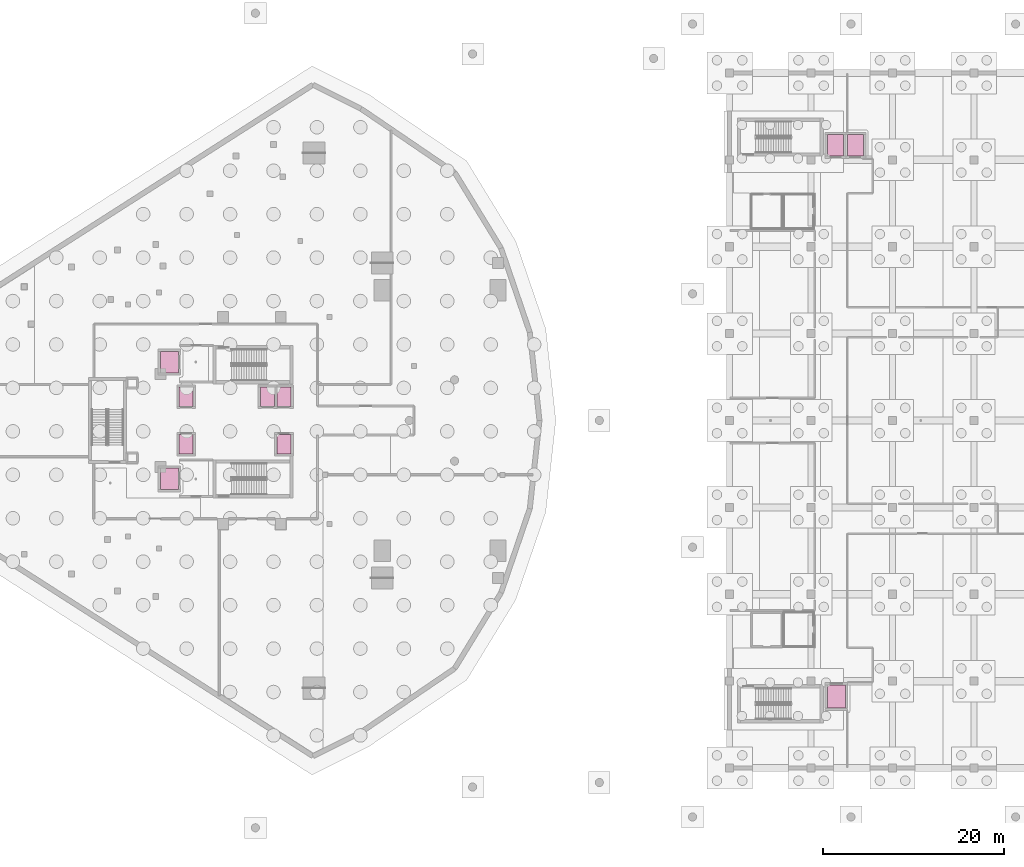
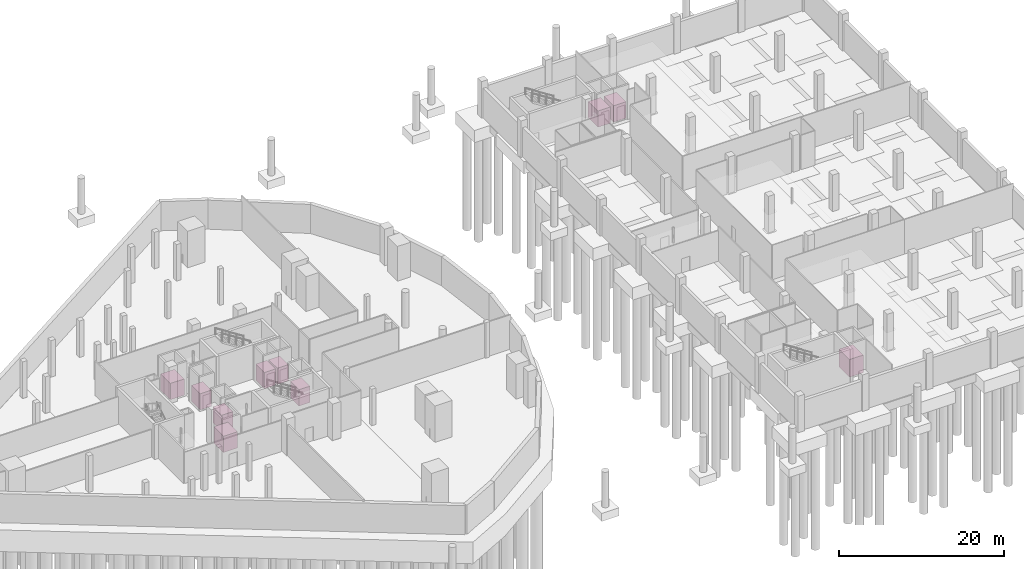
# One storey, part 22 of 22: 10 transport elements.
"""IFC4 building model written with IfcOpenShell, lengths in metres."""

import ifcopenshell
import ifcopenshell.guid

model = None  # the IFC model being written
_history = None  # IfcOwnerHistory: only IFC2X3 demands one
_inside = {}  # id of a spatial element -> (the spatial element, [elements in it])
_under = {}  # id of a project, library or spatial element -> (it, [spatial elements below it])
_declared = {}  # id of a project -> (the project, [libraries it declares])
_typed = {}  # id of a type object -> (the type object, [elements of that type])
_made_of = {}  # id of a material, layer set ... -> (it, [elements and type objects made of it])


def new_model(schema):
    """Start an empty IFC model of exactly this schema.

    Asked for "IFC4X3", IfcOpenShell would pick the latest addendum, in which some entities
    have other attributes; the version numbers below select the first issue.
    IFC2X3 requires an IfcOwnerHistory on every rooted entity: one is made here for all.
    """
    global model, _history
    if schema == "IFC4X3":
        model = ifcopenshell.file(schema_version=(4, 3, 0, 0))
    else:
        model = ifcopenshell.file(schema=schema)
    _inside.clear()
    _under.clear()
    _declared.clear()
    _typed.clear()
    _made_of.clear()
    _history = None
    if model.schema == "IFC2X3":
        org = make("IfcOrganization", Name="unknown")
        user = make(
            "IfcPersonAndOrganization",
            ThePerson=make("IfcPerson", FamilyName="unknown"),
            TheOrganization=org,
        )
        app = make(
            "IfcApplication",
            ApplicationDeveloper=org,
            Version="unknown",
            ApplicationFullName="unknown",
            ApplicationIdentifier="unknown",
        )
        _history = make(
            "IfcOwnerHistory",
            OwningUser=user,
            OwningApplication=app,
            ChangeAction="ADDED",
            CreationDate=0,
        )
    return model


def make(cls, **values):
    """One entity of the class cls with the attributes given. An attribute that is None is left unset."""
    return model.create_entity(
        cls, **{name: value for name, value in values.items() if value is not None}
    )


def rooted(cls, **values):
    """An entity with a GlobalId (a new one), such as an element, a storey or a relation."""
    return make(cls, GlobalId=ifcopenshell.guid.new(), OwnerHistory=_history, **values)


def si_unit(unit_type, name, prefix=None):
    """IfcSIUnit, for example si_unit("LENGTHUNIT", "METRE", prefix="MILLI")."""
    return make("IfcSIUnit", UnitType=unit_type, Prefix=prefix, Name=name)


def assignment(units):
    """IfcUnitAssignment: the units of a project."""
    return None if units is None else make("IfcUnitAssignment", Units=units)


def point(xyz):
    """IfcCartesianPoint."""
    return None if xyz is None else make("IfcCartesianPoint", Coordinates=xyz)


def direction(xyz):
    """IfcDirection."""
    return None if xyz is None else make("IfcDirection", DirectionRatios=xyz)


def frame(location, z_axis=None, x_axis=None):
    """IfcAxis2Placement3D, a coordinate frame: its origin and axes. An axis left out is left unset."""
    return make(
        "IfcAxis2Placement3D",
        Location=point(location),
        Axis=direction(z_axis),
        RefDirection=direction(x_axis),
    )


def frame_2d(location, x_axis=None):
    """IfcAxis2Placement2D, a coordinate frame in the plane: its origin and x axis."""
    return make(
        "IfcAxis2Placement2D", Location=point(location), RefDirection=direction(x_axis)
    )


def origin():
    """The frame at (0, 0, 0) with its axes left unset."""
    return frame((0.0, 0.0, 0.0))


def origin_2d():
    """The frame at (0, 0) in the plane with its x axis left unset."""
    return frame_2d((0.0, 0.0))


def place(relative_to, where):
    """IfcLocalPlacement: puts the frame where relative to a parent placement (None: the world)."""
    return make(
        "IfcLocalPlacement", PlacementRelTo=relative_to, RelativePlacement=where
    )


def context(
    kind, dimensions, precision=None, world=None, true_north=None, identifier=None
):
    """IfcGeometricRepresentationContext, for example the 3D "Model" context."""
    return make(
        "IfcGeometricRepresentationContext",
        ContextIdentifier=identifier,
        ContextType=kind,
        CoordinateSpaceDimension=dimensions,
        Precision=precision,
        WorldCoordinateSystem=world,
        TrueNorth=true_north,
    )


def subcontext(parent, identifier, kind, view, scale=None):
    """IfcGeometricRepresentationSubContext, for example "Body" below "Model"."""
    return make(
        "IfcGeometricRepresentationSubContext",
        ContextIdentifier=identifier,
        ContextType=kind,
        ParentContext=parent,
        TargetScale=scale,
        TargetView=view,
    )


def project(units=None, contexts=None):
    """IfcProject with its units and contexts."""
    return rooted(
        "IfcProject",
        Name="project",
        RepresentationContexts=contexts,
        UnitsInContext=assignment(units),
    )


def spatial(cls, under=None, at=None, **own):
    """A site, building, storey or space (cls), placed at a placement, below another one or the project."""
    s = rooted(cls, ObjectPlacement=at, **own)
    if under is not None:
        _under.setdefault(under.id(), (under, []))[1].append(s)
    return s


def profile(cls, at=None, kind="AREA", **sizes):
    """A parametric profile (cls). Its sizes go by their IFC names, for example OverallWidth=200.0."""
    return make(cls, ProfileType=kind, Position=at, **sizes)


def rectangle(**sizes):
    """IfcRectangleProfileDef."""
    return profile("IfcRectangleProfileDef", **sizes)


def extrude(swept, where, along, depth):
    """IfcExtrudedAreaSolid: the profile swept, set in the frame where, extruded along a direction by depth."""
    return make(
        "IfcExtrudedAreaSolid",
        SweptArea=swept,
        Position=where,
        ExtrudedDirection=direction(along),
        Depth=depth,
    )


def shape(context_of_items, identifier, shape_type, items):
    """IfcShapeRepresentation: the items that make up one representation, for example the "Body"."""
    return make(
        "IfcShapeRepresentation",
        ContextOfItems=context_of_items,
        RepresentationIdentifier=identifier,
        RepresentationType=shape_type,
        Items=items,
    )


def material(Name=None, Category=None):
    """IfcMaterial."""
    return make("IfcMaterial", Name=Name, Category=Category)


def made_of(thing, what):
    """Note that an element or type object is made of a material, layer set ...; save() writes the relation."""
    if what is not None:
        _made_of.setdefault(what.id(), (what, []))[1].append(thing)
    return thing


def type_object(cls, material=None, **own):
    """A type object (cls), such as IfcWallType, which elements share."""
    return made_of(rooted(cls, **own), material)


def element(
    cls,
    number,
    at=None,
    inside=None,
    cuts=None,
    type_object=None,
    material=None,
    context=None,
    identifier="Body",
    shape_type=None,
    held_by="IfcProductDefinitionShape",
    body=None,
    shapes=None,
    **own,
):
    """One element of the class cls, such as IfcWall. Its Tag is "e" and its number.

    at: its placement. inside: the storey or other place that contains it. cuts: it is an
    opening in that element (IfcRelVoidsElement). A single representation is given by context,
    identifier, shape_type and body (its items); several are given by shapes. held_by: the class
    of the entity that holds the representations. save() writes the other relations.
    """
    e = rooted(cls, Tag="e%d" % number, ObjectPlacement=at, **own)
    if body is not None:
        shapes = [shape(context, identifier, shape_type, body)]
    if shapes is not None:
        e.Representation = make(held_by, Representations=shapes)
    if inside is not None:
        _inside.setdefault(inside.id(), (inside, []))[1].append(e)
    if cuts is not None:
        rooted(
            "IfcRelVoidsElement", RelatingBuildingElement=cuts, RelatedOpeningElement=e
        )
    if type_object is not None:
        _typed.setdefault(type_object.id(), (type_object, []))[1].append(e)
    return made_of(e, material)


def aggregate(whole, parts):
    """IfcRelAggregates: a whole, such as a stair, and the parts it consists of."""
    return rooted("IfcRelAggregates", RelatingObject=whole, RelatedObjects=parts)


def save(model, path):
    """Write the relations noted so far, then the file.

    IfcRelAggregates (storeys below a building ...), IfcRelContainedInSpatialStructure (elements
    in a storey), IfcRelDefinesByType, IfcRelAssociatesMaterial and IfcRelDeclares: one each for
    every whole, place, type object, material and project.
    """
    for whole, parts in _under.values():
        aggregate(whole, parts)
    for where, things in _inside.values():
        rooted(
            "IfcRelContainedInSpatialStructure",
            RelatedElements=things,
            RelatingStructure=where,
        )
    for kind, things in _typed.values():
        rooted("IfcRelDefinesByType", RelatedObjects=things, RelatingType=kind)
    for what, things in _made_of.values():
        rooted("IfcRelAssociatesMaterial", RelatedObjects=things, RelatingMaterial=what)
    for by, libraries in _declared.values():
        rooted("IfcRelDeclares", RelatingContext=by, RelatedDefinitions=libraries)
    model.write(path)


model = new_model("IFC4")

# Units and contexts
model_context = context("Model", 3, precision=1e-05, world=origin(), true_north=direction((0.0, 1.0)))
body_context = subcontext(model_context, "Body", "Model", "MODEL_VIEW")
ifc_project = project(units=[si_unit("LENGTHUNIT", "METRE"), si_unit("AREAUNIT", "SQUARE_METRE"), si_unit("VOLUMEUNIT", "CUBIC_METRE"), si_unit("PLANEANGLEUNIT", "RADIAN"), si_unit("MASSUNIT", "GRAM", prefix="KILO")], contexts=[model_context])

# Site, building, storey
site_placement = place(None, origin())
site = spatial("IfcSite", under=ifc_project, at=site_placement, CompositionType="ELEMENT")
building_placement = place(site_placement, origin())
building = spatial("IfcBuilding", under=site, at=building_placement, Name="Qorvath Tower", CompositionType="ELEMENT")
storey_placement = place(building_placement, frame((0.0, 0.0, -5.39990234375)))
storey = spatial("IfcBuildingStorey", under=building, at=storey_placement, Name="B01", CompositionType="ELEMENT", Elevation=-5.39990234375)

# Transport elements
ifc_material_1 = material(Name="Brushed stainless steel AISI 316", Category="steel")
transport_element_type_1 = type_object("IfcTransportElementType", Name="LFT-FSAE", PredefinedType="ELEVATOR", material=ifc_material_1)
for number, where, z_axis, x_axis, name in (
    (1, (-29.5, 6.449951171875, 0.0), (0.0, 0.0, 1.0), (1.0, 0.0, 0.0), "Elevator FSAE-1"),
    (2, (-29.5, -6.449951171875, 0.0), (0.0, 0.0, 1.0), (1.0, 0.0, 0.0), "Elevator FSAE-2"),
):
    element("IfcTransportElement", number, at=place(storey_placement, frame(where, z_axis=z_axis, x_axis=x_axis)), inside=storey, type_object=transport_element_type_1, Name=name, PredefinedType="ELEVATOR", context=body_context, shape_type="SweptSolid", body=[
        extrude(rectangle(XDim=1.9599609375, YDim=2.360107421875, at=origin_2d()), origin(), (0.0, 0.0, 1.0), 2.39990234375),
    ])
ifc_material_2 = material(Name="Brushed stainless steel AISI 316", Category="steel")
transport_element_type_2 = type_object("IfcTransportElementType", Name="LFT-LIB-G", PredefinedType="ELEVATOR", material=ifc_material_2)
transport_element_placement = place(storey_placement, frame((44.199951171875, -30.5, -0.000244140625), z_axis=(0.0, 0.0, 1.0), x_axis=(1.0, 0.0, 0.0)))
element("IfcTransportElement", 3, at=transport_element_placement, inside=storey, type_object=transport_element_type_2, Name="Elevator LGL-1", PredefinedType="ELEVATOR", context=body_context, shape_type="SweptSolid", body=[
    extrude(rectangle(XDim=1.9599609375, YDim=2.56005859375, at=origin_2d()), origin(), (0.0, 0.0, 1.0), 2.60009765625),
])
ifc_material_3 = material(Name="Brushed stainless steel AISI 316", Category="steel")
transport_element_type_3 = type_object("IfcTransportElementType", Name="LFT-LIB-P", PredefinedType="ELEVATOR", material=ifc_material_3)
for number, where, z_axis, x_axis, name in (
    (4, (44.10009765625, 30.39990234375, 0.0), (0.0, 0.0, 1.0), (1.0, 0.0, 0.0), "Elevator LL-1"),
    (5, (46.300048828125, 30.39990234375, 0.0), (0.0, 0.0, 1.0), (1.0, 0.0, 0.0), "Elevator LL-2"),
):
    element("IfcTransportElement", number, at=place(storey_placement, frame(where, z_axis=z_axis, x_axis=x_axis)), inside=storey, type_object=transport_element_type_3, Name=name, PredefinedType="ELEVATOR", context=body_context, shape_type="SweptSolid", body=[
        extrude(rectangle(XDim=1.760009765625, YDim=2.360107421875, at=origin_2d()), origin(), (0.0, 0.0, 1.0), 2.39990234375),
    ])
ifc_material_4 = material(Name="Brushed stainless steel AISI 316", Category="steel")
transport_element_type_4 = type_object("IfcTransportElementType", Name="LFT-PASS", PredefinedType="ELEVATOR", material=ifc_material_4)
for number, where, z_axis, x_axis, name in (
    (6, (-18.64990234375, 2.625, 0.0), (0.0, 0.0, 1.0), (1.0, 0.0, 0.0), "Elevator PL-1"),
    (7, (-16.85009765625, 2.625, 0.0), (0.0, 0.0, 1.0), (1.0, 0.0, 0.0), "Elevator PL-3"),
    (8, (-16.85009765625, -2.625, 0.0), (0.0, 0.0, 1.0), (1.0, 0.0, 0.0), "Elevator PL-2"),
):
    element("IfcTransportElement", number, at=place(storey_placement, frame(where, z_axis=z_axis, x_axis=x_axis)), inside=storey, type_object=transport_element_type_4, Name=name, PredefinedType="ELEVATOR", context=body_context, shape_type="SweptSolid", body=[
        extrude(rectangle(XDim=1.56005859375, YDim=2.110107421875, at=origin_2d()), origin(), (0.0, 0.0, 1.0), 2.39990234375),
    ])
ifc_material_5 = material(Name="Brushed stainless steel AISI 316", Category="steel")
transport_element_type_5 = type_object("IfcTransportElementType", Name="LFT-SHUTTLE", PredefinedType="ELEVATOR", material=ifc_material_5)
for number, where, z_axis, x_axis, name in (
    (9, (-27.64990234375, 2.625, 0.0), (0.0, 0.0, 1.0), (1.0, 0.0, 0.0), "Elevator PS-1"),
    (10, (-27.64990234375, -2.625, 0.0), (0.0, 0.0, 1.0), (1.0, 0.0, 0.0), "Elevator PS-2"),
):
    element("IfcTransportElement", number, at=place(storey_placement, frame(where, z_axis=z_axis, x_axis=x_axis)), inside=storey, type_object=transport_element_type_5, Name=name, PredefinedType="ELEVATOR", context=body_context, shape_type="SweptSolid", body=[
        extrude(rectangle(XDim=1.56005859375, YDim=2.110107421875, at=origin_2d()), origin(), (0.0, 0.0, 1.0), 2.39990234375),
    ])

save(model, "model.ifc")
